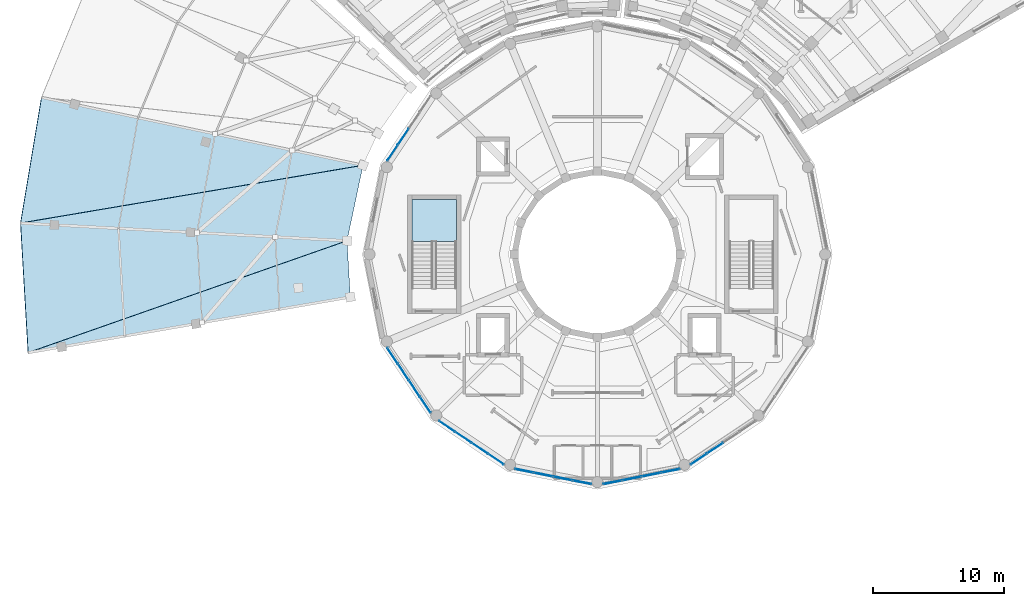
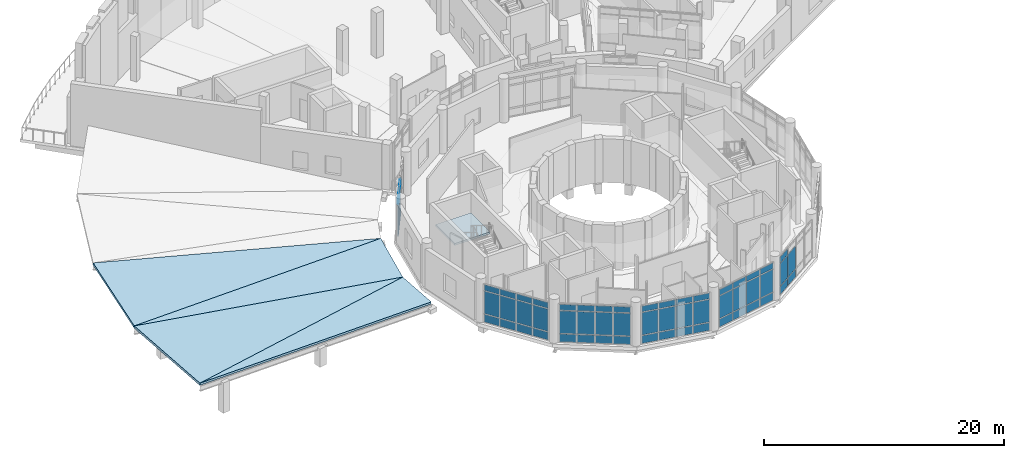
# One storey, part 22 of 49: 59 plates, 5 slabs, 7 elements without a shape of their own.
"""IFC4 building model written with IfcOpenShell, lengths in metres."""

from ifc_helpers import new_model, si_unit, direction, frame, origin, origin_2d, place, context, subcontext, project, spatial, polyline, rectangle, outline, extrude, material, layer, layer_set, type_object, element, aggregate, save


model = new_model("IFC4")

# Units and contexts
model_context = context("Model", 3, precision=1e-05, world=origin(), true_north=direction((0.0, 1.0)))
body_context = subcontext(model_context, "Body", "Model", "MODEL_VIEW")
ifc_project = project(units=[si_unit("LENGTHUNIT", "METRE"), si_unit("AREAUNIT", "SQUARE_METRE"), si_unit("VOLUMEUNIT", "CUBIC_METRE"), si_unit("PLANEANGLEUNIT", "RADIAN"), si_unit("MASSUNIT", "GRAM", prefix="KILO")], contexts=[model_context])

# Site, building, storey
site_placement = place(None, origin())
site = spatial("IfcSite", under=ifc_project, at=site_placement, CompositionType="ELEMENT")
building_placement = place(site_placement, origin())
building = spatial("IfcBuilding", under=site, at=building_placement, Name="Soyqirgoq Riverine Aquarium", CompositionType="ELEMENT")
storey_placement = place(building_placement, frame((0.0, 0.0, 15.0)))
storey = spatial("IfcBuildingStorey", under=building, at=storey_placement, Name="L04", CompositionType="ELEMENT", Elevation=15.0)

# Curtain wall, plates
ifc_material_1 = material(Name="Anodised aluminium thermally broken triple low-E glazing", Category="aluminium")
curtain_wall_type = type_object("IfcCurtainWallType", Name="CW_DrumGallery_Unitised", PredefinedType="NOTDEFINED", material=ifc_material_1)
curtain_wall_1_placement = place(storey_placement, origin())
curtain_wall_1 = element("IfcCurtainWall", 1, at=curtain_wall_1_placement, inside=storey, type_object=curtain_wall_type, Name="V1 L04 Curtain Wall 026", PredefinedType="NOTDEFINED")
ifc_material_2 = material(Name="Triple insulated laminated low-E glass", Category="glass")
ifc_layer_1 = layer(ifc_material_2, 0.0458984375)
ifc_layer_set_1 = layer_set([ifc_layer_1], Name="Triple insulated laminated low-E glass")
plate_type = type_object("IfcPlateType", Name="CWGlazedPanel_46", PredefinedType="CURTAIN_PANEL", material=ifc_layer_set_1)
plate_1_placement = place(storey_placement, frame((41.14453125, 66.01416015625, 0.074951171875), z_axis=(0.0, 0.0, 1.0), x_axis=(-0.555578639957, -0.831463994905, 0.0)))
plate_1 = element("IfcPlate", 2, at=plate_1_placement, type_object=plate_type, Name="CW-01 panel 3.1", PredefinedType="CURTAIN_PANEL", context=body_context, shape_type="SweptSolid", body=[
    extrude(rectangle(XDim=1.45166015625, YDim=0.0458984375, at=origin_2d()), origin(), (0.0, 0.0, 1.0), 0.78759765625),
])
plate_2_placement = place(storey_placement, frame((41.14453125, 66.01416015625, 0.9375), z_axis=(0.0, 0.0, 1.0), x_axis=(-0.555578639957, -0.831463994905, 0.0)))
plate_2 = element("IfcPlate", 3, at=plate_2_placement, type_object=plate_type, Name="CW-01 panel 3.2", PredefinedType="CURTAIN_PANEL", context=body_context, shape_type="SweptSolid", body=[
    extrude(rectangle(XDim=1.45166015625, YDim=0.0458984375, at=origin_2d()), origin(), (0.0, 0.0, 1.0), 2.27490234375),
])
plate_3_placement = place(storey_placement, frame((41.14453125, 66.01416015625, 3.28759765625), z_axis=(0.0, 0.0, 1.0), x_axis=(-0.555578639957, -0.831463994905, 0.0)))
plate_3 = element("IfcPlate", 4, at=plate_3_placement, type_object=plate_type, Name="CW-01 panel 3.3", PredefinedType="CURTAIN_PANEL", context=body_context, shape_type="SweptSolid", body=[
    extrude(rectangle(XDim=1.45166015625, YDim=0.0458984375, at=origin_2d()), origin(), (0.0, 0.0, 1.0), 0.58740234375),
])
plate_4_placement = place(storey_placement, frame((40.31103515625, 64.7666015625, 0.074951171875), z_axis=(0.0, 0.0, 1.0), x_axis=(-0.555578639957, -0.831463994905, 0.0)))
plate_4 = element("IfcPlate", 5, at=plate_4_placement, type_object=plate_type, Name="CW-01 panel 4.1", PredefinedType="CURTAIN_PANEL", context=body_context, shape_type="SweptSolid", body=[
    extrude(rectangle(XDim=1.419189453125, YDim=0.0458984375, at=origin_2d()), origin(), (0.0, 0.0, 1.0), 0.78759765625),
])
plate_5_placement = place(storey_placement, frame((40.31103515625, 64.7666015625, 0.9375), z_axis=(0.0, 0.0, 1.0), x_axis=(-0.555578639957, -0.831463994905, 0.0)))
plate_5 = element("IfcPlate", 6, at=plate_5_placement, type_object=plate_type, Name="CW-01 panel 4.2", PredefinedType="CURTAIN_PANEL", context=body_context, shape_type="SweptSolid", body=[
    extrude(rectangle(XDim=1.419189453125, YDim=0.0458984375, at=origin_2d()), origin(), (0.0, 0.0, 1.0), 2.27490234375),
])
plate_6_placement = place(storey_placement, frame((40.31103515625, 64.7666015625, 3.28759765625), z_axis=(0.0, 0.0, 1.0), x_axis=(-0.555578639957, -0.831463994905, 0.0)))
plate_6 = element("IfcPlate", 7, at=plate_6_placement, type_object=plate_type, Name="CW-01 panel 4.3", PredefinedType="CURTAIN_PANEL", context=body_context, shape_type="SweptSolid", body=[
    extrude(rectangle(XDim=1.419189453125, YDim=0.0458984375, at=origin_2d()), origin(), (0.0, 0.0, 1.0), 0.58740234375),
])
aggregate(curtain_wall_1, [plate_1, plate_2, plate_3, plate_4, plate_5, plate_6])

curtain_wall_2_placement = place(storey_placement, origin())
curtain_wall_2 = element("IfcCurtainWall", 8, at=curtain_wall_2_placement, inside=storey, type_object=curtain_wall_type, Name="V1 L04 Curtain Wall 037", PredefinedType="NOTDEFINED")
plate_7_placement = place(storey_placement, frame((40.31103515625, 49.2333984375, 0.074951171875), z_axis=(0.0, 0.0, 1.0), x_axis=(0.555578639957, -0.831463994905, 0.0)))
plate_7 = element("IfcPlate", 9, at=plate_7_placement, type_object=plate_type, Name="CW-01 panel 1.1", PredefinedType="CURTAIN_PANEL", context=body_context, shape_type="SweptSolid", body=[
    extrude(rectangle(XDim=1.419189453125, YDim=0.0458984375, at=origin_2d()), origin(), (0.0, 0.0, 1.0), 0.78759765625),
])
plate_8_placement = place(storey_placement, frame((40.31103515625, 49.2333984375, 0.9375), z_axis=(0.0, 0.0, 1.0), x_axis=(0.555578639957, -0.831463994905, 0.0)))
plate_8 = element("IfcPlate", 10, at=plate_8_placement, type_object=plate_type, Name="CW-01 panel 1.2", PredefinedType="CURTAIN_PANEL", context=body_context, shape_type="SweptSolid", body=[
    extrude(rectangle(XDim=1.419189453125, YDim=0.0458984375, at=origin_2d()), origin(), (0.0, 0.0, 1.0), 2.27490234375),
])
plate_9_placement = place(storey_placement, frame((40.31103515625, 49.2333984375, 3.28759765625), z_axis=(0.0, 0.0, 1.0), x_axis=(0.555578639957, -0.831463994905, 0.0)))
plate_9 = element("IfcPlate", 11, at=plate_9_placement, type_object=plate_type, Name="CW-01 panel 1.3", PredefinedType="CURTAIN_PANEL", context=body_context, shape_type="SweptSolid", body=[
    extrude(rectangle(XDim=1.419189453125, YDim=0.0458984375, at=origin_2d()), origin(), (0.0, 0.0, 1.0), 0.58740234375),
])
plate_10_placement = place(storey_placement, frame((41.14453125, 47.98583984375, 0.074951171875), z_axis=(0.0, 0.0, 1.0), x_axis=(0.555578639957, -0.831463994905, 0.0)))
plate_10 = element("IfcPlate", 12, at=plate_10_placement, type_object=plate_type, Name="CW-01 panel 2.1", PredefinedType="CURTAIN_PANEL", context=body_context, shape_type="SweptSolid", body=[
    extrude(rectangle(XDim=1.45166015625, YDim=0.0458984375, at=origin_2d()), origin(), (0.0, 0.0, 1.0), 0.78759765625),
])
plate_11_placement = place(storey_placement, frame((41.14453125, 47.98583984375, 0.9375), z_axis=(0.0, 0.0, 1.0), x_axis=(0.555578639957, -0.831463994905, 0.0)))
plate_11 = element("IfcPlate", 13, at=plate_11_placement, type_object=plate_type, Name="CW-01 panel 2.2", PredefinedType="CURTAIN_PANEL", context=body_context, shape_type="SweptSolid", body=[
    extrude(rectangle(XDim=1.45166015625, YDim=0.0458984375, at=origin_2d()), origin(), (0.0, 0.0, 1.0), 2.27490234375),
])
plate_12_placement = place(storey_placement, frame((41.14453125, 47.98583984375, 3.28759765625), z_axis=(0.0, 0.0, 1.0), x_axis=(0.555578639957, -0.831463994905, 0.0)))
plate_12 = element("IfcPlate", 14, at=plate_12_placement, type_object=plate_type, Name="CW-01 panel 2.3", PredefinedType="CURTAIN_PANEL", context=body_context, shape_type="SweptSolid", body=[
    extrude(rectangle(XDim=1.45166015625, YDim=0.0458984375, at=origin_2d()), origin(), (0.0, 0.0, 1.0), 0.58740234375),
])
plate_13_placement = place(storey_placement, frame((41.987060546875, 46.724853515625, 0.074951171875), z_axis=(0.0, 0.0, 1.0), x_axis=(0.555578639957, -0.831463994905, 0.0)))
plate_13 = element("IfcPlate", 15, at=plate_13_placement, type_object=plate_type, Name="CW-01 panel 3.1", PredefinedType="CURTAIN_PANEL", context=body_context, shape_type="SweptSolid", body=[
    extrude(rectangle(XDim=1.45166015625, YDim=0.0458984375, at=origin_2d()), origin(), (0.0, 0.0, 1.0), 0.78759765625),
])
plate_14_placement = place(storey_placement, frame((41.987060546875, 46.724853515625, 0.9375), z_axis=(0.0, 0.0, 1.0), x_axis=(0.555578639957, -0.831463994905, 0.0)))
plate_14 = element("IfcPlate", 16, at=plate_14_placement, type_object=plate_type, Name="CW-01 panel 3.2", PredefinedType="CURTAIN_PANEL", context=body_context, shape_type="SweptSolid", body=[
    extrude(rectangle(XDim=1.45166015625, YDim=0.0458984375, at=origin_2d()), origin(), (0.0, 0.0, 1.0), 2.27490234375),
])
plate_15_placement = place(storey_placement, frame((41.987060546875, 46.724853515625, 3.28759765625), z_axis=(0.0, 0.0, 1.0), x_axis=(0.555578639957, -0.831463994905, 0.0)))
plate_15 = element("IfcPlate", 17, at=plate_15_placement, type_object=plate_type, Name="CW-01 panel 3.3", PredefinedType="CURTAIN_PANEL", context=body_context, shape_type="SweptSolid", body=[
    extrude(rectangle(XDim=1.45166015625, YDim=0.0458984375, at=origin_2d()), origin(), (0.0, 0.0, 1.0), 0.58740234375),
])
plate_16_placement = place(storey_placement, frame((42.820556640625, 45.477294921875, 0.074951171875), z_axis=(0.0, 0.0, 1.0), x_axis=(0.555578639957, -0.831463994905, 0.0)))
plate_16 = element("IfcPlate", 18, at=plate_16_placement, type_object=plate_type, Name="CW-01 panel 4.1", PredefinedType="CURTAIN_PANEL", context=body_context, shape_type="SweptSolid", body=[
    extrude(rectangle(XDim=1.419189453125, YDim=0.0458984375, at=origin_2d()), origin(), (0.0, 0.0, 1.0), 0.78759765625),
])
plate_17_placement = place(storey_placement, frame((42.820556640625, 45.477294921875, 0.9375), z_axis=(0.0, 0.0, 1.0), x_axis=(0.555578639957, -0.831463994905, 0.0)))
plate_17 = element("IfcPlate", 19, at=plate_17_placement, type_object=plate_type, Name="CW-01 panel 4.2", PredefinedType="CURTAIN_PANEL", context=body_context, shape_type="SweptSolid", body=[
    extrude(rectangle(XDim=1.419189453125, YDim=0.0458984375, at=origin_2d()), origin(), (0.0, 0.0, 1.0), 2.27490234375),
])
plate_18_placement = place(storey_placement, frame((42.820556640625, 45.477294921875, 3.28759765625), z_axis=(0.0, 0.0, 1.0), x_axis=(0.555578639957, -0.831463994905, 0.0)))
plate_18 = element("IfcPlate", 20, at=plate_18_placement, type_object=plate_type, Name="CW-01 panel 4.3", PredefinedType="CURTAIN_PANEL", context=body_context, shape_type="SweptSolid", body=[
    extrude(rectangle(XDim=1.419189453125, YDim=0.0458984375, at=origin_2d()), origin(), (0.0, 0.0, 1.0), 0.58740234375),
])
aggregate(curtain_wall_2, [plate_7, plate_8, plate_9, plate_10, plate_11, plate_12, plate_13, plate_14, plate_15, plate_16, plate_17, plate_18])

curtain_wall_3_placement = place(storey_placement, origin())
curtain_wall_3 = element("IfcCurtainWall", 21, at=curtain_wall_3_placement, inside=storey, type_object=curtain_wall_type, Name="V1 L04 Curtain Wall 044", PredefinedType="NOTDEFINED")
plate_19_placement = place(storey_placement, frame((44.477294921875, 43.820556640625, 0.074951171875), z_axis=(0.0, 0.0, 1.0), x_axis=(0.831463994905, -0.555578639957, 0.0)))
plate_19 = element("IfcPlate", 22, at=plate_19_placement, type_object=plate_type, Name="CW-01 panel 1.1", PredefinedType="CURTAIN_PANEL", context=body_context, shape_type="SweptSolid", body=[
    extrude(rectangle(XDim=1.419189453125, YDim=0.0458984375, at=origin_2d()), origin(), (0.0, 0.0, 1.0), 0.78759765625),
])
plate_20_placement = place(storey_placement, frame((44.477294921875, 43.820556640625, 0.9375), z_axis=(0.0, 0.0, 1.0), x_axis=(0.831463994905, -0.555578639957, 0.0)))
plate_20 = element("IfcPlate", 23, at=plate_20_placement, type_object=plate_type, Name="CW-01 panel 1.2", PredefinedType="CURTAIN_PANEL", context=body_context, shape_type="SweptSolid", body=[
    extrude(rectangle(XDim=1.419189453125, YDim=0.0458984375, at=origin_2d()), origin(), (0.0, 0.0, 1.0), 2.27490234375),
])
plate_21_placement = place(storey_placement, frame((44.477294921875, 43.820556640625, 3.28759765625), z_axis=(0.0, 0.0, 1.0), x_axis=(0.831463994905, -0.555578639957, 0.0)))
plate_21 = element("IfcPlate", 24, at=plate_21_placement, type_object=plate_type, Name="CW-01 panel 1.3", PredefinedType="CURTAIN_PANEL", context=body_context, shape_type="SweptSolid", body=[
    extrude(rectangle(XDim=1.419189453125, YDim=0.0458984375, at=origin_2d()), origin(), (0.0, 0.0, 1.0), 0.58740234375),
])
plate_22_placement = place(storey_placement, frame((45.724853515625, 42.987060546875, 0.074951171875), z_axis=(0.0, 0.0, 1.0), x_axis=(0.831463994905, -0.555578639957, 0.0)))
plate_22 = element("IfcPlate", 25, at=plate_22_placement, type_object=plate_type, Name="CW-01 panel 2.1", PredefinedType="CURTAIN_PANEL", context=body_context, shape_type="SweptSolid", body=[
    extrude(rectangle(XDim=1.45166015625, YDim=0.0458984375, at=origin_2d()), origin(), (0.0, 0.0, 1.0), 0.78759765625),
])
plate_23_placement = place(storey_placement, frame((45.724853515625, 42.987060546875, 0.9375), z_axis=(0.0, 0.0, 1.0), x_axis=(0.831463994905, -0.555578639957, 0.0)))
plate_23 = element("IfcPlate", 26, at=plate_23_placement, type_object=plate_type, Name="CW-01 panel 2.2", PredefinedType="CURTAIN_PANEL", context=body_context, shape_type="SweptSolid", body=[
    extrude(rectangle(XDim=1.45166015625, YDim=0.0458984375, at=origin_2d()), origin(), (0.0, 0.0, 1.0), 2.27490234375),
])
plate_24_placement = place(storey_placement, frame((45.724853515625, 42.987060546875, 3.28759765625), z_axis=(0.0, 0.0, 1.0), x_axis=(0.831463994905, -0.555578639957, 0.0)))
plate_24 = element("IfcPlate", 27, at=plate_24_placement, type_object=plate_type, Name="CW-01 panel 2.3", PredefinedType="CURTAIN_PANEL", context=body_context, shape_type="SweptSolid", body=[
    extrude(rectangle(XDim=1.45166015625, YDim=0.0458984375, at=origin_2d()), origin(), (0.0, 0.0, 1.0), 0.58740234375),
])
plate_25_placement = place(storey_placement, frame((46.98583984375, 42.14453125, 0.074951171875), z_axis=(0.0, 0.0, 1.0), x_axis=(0.831463994905, -0.555578639957, 0.0)))
plate_25 = element("IfcPlate", 28, at=plate_25_placement, type_object=plate_type, Name="CW-01 panel 3.1", PredefinedType="CURTAIN_PANEL", context=body_context, shape_type="SweptSolid", body=[
    extrude(rectangle(XDim=1.45166015625, YDim=0.0458984375, at=origin_2d()), origin(), (0.0, 0.0, 1.0), 0.78759765625),
])
plate_26_placement = place(storey_placement, frame((46.98583984375, 42.14453125, 0.9375), z_axis=(0.0, 0.0, 1.0), x_axis=(0.831463994905, -0.555578639957, 0.0)))
plate_26 = element("IfcPlate", 29, at=plate_26_placement, type_object=plate_type, Name="CW-01 panel 3.2", PredefinedType="CURTAIN_PANEL", context=body_context, shape_type="SweptSolid", body=[
    extrude(rectangle(XDim=1.45166015625, YDim=0.0458984375, at=origin_2d()), origin(), (0.0, 0.0, 1.0), 2.27490234375),
])
plate_27_placement = place(storey_placement, frame((46.98583984375, 42.14453125, 3.28759765625), z_axis=(0.0, 0.0, 1.0), x_axis=(0.831463994905, -0.555578639957, 0.0)))
plate_27 = element("IfcPlate", 30, at=plate_27_placement, type_object=plate_type, Name="CW-01 panel 3.3", PredefinedType="CURTAIN_PANEL", context=body_context, shape_type="SweptSolid", body=[
    extrude(rectangle(XDim=1.45166015625, YDim=0.0458984375, at=origin_2d()), origin(), (0.0, 0.0, 1.0), 0.58740234375),
])
plate_28_placement = place(storey_placement, frame((48.2333984375, 41.31103515625, 0.074951171875), z_axis=(0.0, 0.0, 1.0), x_axis=(0.831463994905, -0.555578639957, 0.0)))
plate_28 = element("IfcPlate", 31, at=plate_28_placement, type_object=plate_type, Name="CW-01 panel 4.1", PredefinedType="CURTAIN_PANEL", context=body_context, shape_type="SweptSolid", body=[
    extrude(rectangle(XDim=1.419189453125, YDim=0.0458984375, at=origin_2d()), origin(), (0.0, 0.0, 1.0), 0.78759765625),
])
plate_29_placement = place(storey_placement, frame((48.2333984375, 41.31103515625, 0.9375), z_axis=(0.0, 0.0, 1.0), x_axis=(0.831463994905, -0.555578639957, 0.0)))
plate_29 = element("IfcPlate", 32, at=plate_29_placement, type_object=plate_type, Name="CW-01 panel 4.2", PredefinedType="CURTAIN_PANEL", context=body_context, shape_type="SweptSolid", body=[
    extrude(rectangle(XDim=1.419189453125, YDim=0.0458984375, at=origin_2d()), origin(), (0.0, 0.0, 1.0), 2.27490234375),
])
plate_30_placement = place(storey_placement, frame((48.2333984375, 41.31103515625, 3.28759765625), z_axis=(0.0, 0.0, 1.0), x_axis=(0.831463994905, -0.555578639957, 0.0)))
plate_30 = element("IfcPlate", 33, at=plate_30_placement, type_object=plate_type, Name="CW-01 panel 4.3", PredefinedType="CURTAIN_PANEL", context=body_context, shape_type="SweptSolid", body=[
    extrude(rectangle(XDim=1.419189453125, YDim=0.0458984375, at=origin_2d()), origin(), (0.0, 0.0, 1.0), 0.58740234375),
])
aggregate(curtain_wall_3, [plate_19, plate_20, plate_21, plate_22, plate_23, plate_24, plate_25, plate_26, plate_27, plate_28, plate_29, plate_30])

curtain_wall_4_placement = place(storey_placement, origin())
curtain_wall_4 = element("IfcCurtainWall", 34, at=curtain_wall_4_placement, inside=storey, type_object=curtain_wall_type, Name="V1 L04 Curtain Wall 051", PredefinedType="NOTDEFINED")
plate_31_placement = place(storey_placement, frame((50.398193359375, 40.414306640625, 0.074951171875), z_axis=(0.0, 0.0, 1.0), x_axis=(0.980783044882, -0.195101560405, 0.0)))
plate_31 = element("IfcPlate", 35, at=plate_31_placement, type_object=plate_type, Name="CW-01 panel 1.1", PredefinedType="CURTAIN_PANEL", context=body_context, shape_type="SweptSolid", body=[
    extrude(rectangle(XDim=1.4189453125, YDim=0.0458984375, at=origin_2d()), origin(), (0.0, 0.0, 1.0), 0.78759765625),
])
plate_32_placement = place(storey_placement, frame((50.398193359375, 40.414306640625, 0.9375), z_axis=(0.0, 0.0, 1.0), x_axis=(0.980783044882, -0.195101560405, 0.0)))
plate_32 = element("IfcPlate", 36, at=plate_32_placement, type_object=plate_type, Name="CW-01 panel 1.2", PredefinedType="CURTAIN_PANEL", context=body_context, shape_type="SweptSolid", body=[
    extrude(rectangle(XDim=1.4189453125, YDim=0.0458984375, at=origin_2d()), origin(), (0.0, 0.0, 1.0), 2.27490234375),
])
plate_33_placement = place(storey_placement, frame((50.398193359375, 40.414306640625, 3.28759765625), z_axis=(0.0, 0.0, 1.0), x_axis=(0.980783044882, -0.195101560405, 0.0)))
plate_33 = element("IfcPlate", 37, at=plate_33_placement, type_object=plate_type, Name="CW-01 panel 1.3", PredefinedType="CURTAIN_PANEL", context=body_context, shape_type="SweptSolid", body=[
    extrude(rectangle(XDim=1.4189453125, YDim=0.0458984375, at=origin_2d()), origin(), (0.0, 0.0, 1.0), 0.58740234375),
])
plate_34_placement = place(storey_placement, frame((51.86962890625, 40.12158203125, 0.074951171875), z_axis=(0.0, 0.0, 1.0), x_axis=(0.980783044882, -0.195101560405, 0.0)))
plate_34 = element("IfcPlate", 38, at=plate_34_placement, type_object=plate_type, Name="CW-01 panel 2.1", PredefinedType="CURTAIN_PANEL", context=body_context, shape_type="SweptSolid", body=[
    extrude(rectangle(XDim=1.451416015625, YDim=0.0458984375, at=origin_2d()), origin(), (0.0, 0.0, 1.0), 0.78759765625),
])
plate_35_placement = place(storey_placement, frame((51.86962890625, 40.12158203125, 0.9375), z_axis=(0.0, 0.0, 1.0), x_axis=(0.980783044882, -0.195101560405, 0.0)))
plate_35 = element("IfcPlate", 39, at=plate_35_placement, type_object=plate_type, Name="CW-01 panel 2.2", PredefinedType="CURTAIN_PANEL", context=body_context, shape_type="SweptSolid", body=[
    extrude(rectangle(XDim=1.451416015625, YDim=0.0458984375, at=origin_2d()), origin(), (0.0, 0.0, 1.0), 2.27490234375),
])
plate_36_placement = place(storey_placement, frame((51.86962890625, 40.12158203125, 3.28759765625), z_axis=(0.0, 0.0, 1.0), x_axis=(0.980783044882, -0.195101560405, 0.0)))
plate_36 = element("IfcPlate", 40, at=plate_36_placement, type_object=plate_type, Name="CW-01 panel 2.3", PredefinedType="CURTAIN_PANEL", context=body_context, shape_type="SweptSolid", body=[
    extrude(rectangle(XDim=1.451416015625, YDim=0.0458984375, at=origin_2d()), origin(), (0.0, 0.0, 1.0), 0.58740234375),
])
plate_37_placement = place(storey_placement, frame((53.35693359375, 39.82568359375, 0.074951171875), z_axis=(0.0, 0.0, 1.0), x_axis=(0.980783044882, -0.195101560405, 0.0)))
plate_37 = element("IfcPlate", 41, at=plate_37_placement, type_object=plate_type, Name="CW-01 panel 3.1", PredefinedType="CURTAIN_PANEL", context=body_context, shape_type="SweptSolid", body=[
    extrude(rectangle(XDim=1.451416015625, YDim=0.0458984375, at=origin_2d()), origin(), (0.0, 0.0, 1.0), 0.78759765625),
])
plate_38_placement = place(storey_placement, frame((53.35693359375, 39.82568359375, 0.9375), z_axis=(0.0, 0.0, 1.0), x_axis=(0.980783044882, -0.195101560405, 0.0)))
plate_38 = element("IfcPlate", 42, at=plate_38_placement, type_object=plate_type, Name="CW-01 panel 3.2", PredefinedType="CURTAIN_PANEL", context=body_context, shape_type="SweptSolid", body=[
    extrude(rectangle(XDim=1.451416015625, YDim=0.0458984375, at=origin_2d()), origin(), (0.0, 0.0, 1.0), 2.27490234375),
])
plate_39_placement = place(storey_placement, frame((53.35693359375, 39.82568359375, 3.28759765625), z_axis=(0.0, 0.0, 1.0), x_axis=(0.980783044882, -0.195101560405, 0.0)))
plate_39 = element("IfcPlate", 43, at=plate_39_placement, type_object=plate_type, Name="CW-01 panel 3.3", PredefinedType="CURTAIN_PANEL", context=body_context, shape_type="SweptSolid", body=[
    extrude(rectangle(XDim=1.451416015625, YDim=0.0458984375, at=origin_2d()), origin(), (0.0, 0.0, 1.0), 0.58740234375),
])
plate_40_placement = place(storey_placement, frame((54.828369140625, 39.532958984375, 0.074951171875), z_axis=(0.0, 0.0, 1.0), x_axis=(0.980783044882, -0.195101560405, 0.0)))
plate_40 = element("IfcPlate", 44, at=plate_40_placement, type_object=plate_type, Name="CW-01 panel 4.1", PredefinedType="CURTAIN_PANEL", context=body_context, shape_type="SweptSolid", body=[
    extrude(rectangle(XDim=1.4189453125, YDim=0.0458984375, at=origin_2d()), origin(), (0.0, 0.0, 1.0), 0.78759765625),
])
plate_41_placement = place(storey_placement, frame((54.828369140625, 39.532958984375, 0.9375), z_axis=(0.0, 0.0, 1.0), x_axis=(0.980783044882, -0.195101560405, 0.0)))
plate_41 = element("IfcPlate", 45, at=plate_41_placement, type_object=plate_type, Name="CW-01 panel 4.2", PredefinedType="CURTAIN_PANEL", context=body_context, shape_type="SweptSolid", body=[
    extrude(rectangle(XDim=1.4189453125, YDim=0.0458984375, at=origin_2d()), origin(), (0.0, 0.0, 1.0), 2.27490234375),
])
plate_42_placement = place(storey_placement, frame((54.828369140625, 39.532958984375, 3.28759765625), z_axis=(0.0, 0.0, 1.0), x_axis=(0.980783044882, -0.195101560405, 0.0)))
plate_42 = element("IfcPlate", 46, at=plate_42_placement, type_object=plate_type, Name="CW-01 panel 4.3", PredefinedType="CURTAIN_PANEL", context=body_context, shape_type="SweptSolid", body=[
    extrude(rectangle(XDim=1.4189453125, YDim=0.0458984375, at=origin_2d()), origin(), (0.0, 0.0, 1.0), 0.58740234375),
])
aggregate(curtain_wall_4, [plate_31, plate_32, plate_33, plate_34, plate_35, plate_36, plate_37, plate_38, plate_39, plate_40, plate_41, plate_42])

curtain_wall_5_placement = place(storey_placement, origin())
curtain_wall_5 = element("IfcCurtainWall", 47, at=curtain_wall_5_placement, inside=storey, type_object=curtain_wall_type, Name="V1 L04 Curtain Wall 058", PredefinedType="NOTDEFINED")
plate_43_placement = place(storey_placement, frame((57.171630859375, 39.532958984375, 0.074951171875), z_axis=(0.0, 0.0, 1.0), x_axis=(0.980783044882, 0.195101560405, 0.0)))
plate_43 = element("IfcPlate", 48, at=plate_43_placement, type_object=plate_type, Name="CW-01 panel 1.1", PredefinedType="CURTAIN_PANEL", context=body_context, shape_type="SweptSolid", body=[
    extrude(rectangle(XDim=1.4189453125, YDim=0.0458984375, at=origin_2d()), origin(), (0.0, 0.0, 1.0), 0.78759765625),
])
plate_44_placement = place(storey_placement, frame((57.171630859375, 39.532958984375, 0.9375), z_axis=(0.0, 0.0, 1.0), x_axis=(0.980783044882, 0.195101560405, 0.0)))
plate_44 = element("IfcPlate", 49, at=plate_44_placement, type_object=plate_type, Name="CW-01 panel 1.2", PredefinedType="CURTAIN_PANEL", context=body_context, shape_type="SweptSolid", body=[
    extrude(rectangle(XDim=1.4189453125, YDim=0.0458984375, at=origin_2d()), origin(), (0.0, 0.0, 1.0), 2.27490234375),
])
plate_45_placement = place(storey_placement, frame((57.171630859375, 39.532958984375, 3.28759765625), z_axis=(0.0, 0.0, 1.0), x_axis=(0.980783044882, 0.195101560405, 0.0)))
plate_45 = element("IfcPlate", 50, at=plate_45_placement, type_object=plate_type, Name="CW-01 panel 1.3", PredefinedType="CURTAIN_PANEL", context=body_context, shape_type="SweptSolid", body=[
    extrude(rectangle(XDim=1.4189453125, YDim=0.0458984375, at=origin_2d()), origin(), (0.0, 0.0, 1.0), 0.58740234375),
])
plate_46_placement = place(storey_placement, frame((58.64306640625, 39.82568359375, 0.074951171875), z_axis=(0.0, 0.0, 1.0), x_axis=(0.980783044882, 0.195101560405, 0.0)))
plate_46 = element("IfcPlate", 51, at=plate_46_placement, type_object=plate_type, Name="CW-01 panel 2.1", PredefinedType="CURTAIN_PANEL", context=body_context, shape_type="SweptSolid", body=[
    extrude(rectangle(XDim=1.451416015625, YDim=0.0458984375, at=origin_2d()), origin(), (0.0, 0.0, 1.0), 0.78759765625),
])
plate_47_placement = place(storey_placement, frame((58.64306640625, 39.82568359375, 0.9375), z_axis=(0.0, 0.0, 1.0), x_axis=(0.980783044882, 0.195101560405, 0.0)))
plate_47 = element("IfcPlate", 52, at=plate_47_placement, type_object=plate_type, Name="CW-01 panel 2.2", PredefinedType="CURTAIN_PANEL", context=body_context, shape_type="SweptSolid", body=[
    extrude(rectangle(XDim=1.451416015625, YDim=0.0458984375, at=origin_2d()), origin(), (0.0, 0.0, 1.0), 2.27490234375),
])
plate_48_placement = place(storey_placement, frame((58.64306640625, 39.82568359375, 3.28759765625), z_axis=(0.0, 0.0, 1.0), x_axis=(0.980783044882, 0.195101560405, 0.0)))
plate_48 = element("IfcPlate", 53, at=plate_48_placement, type_object=plate_type, Name="CW-01 panel 2.3", PredefinedType="CURTAIN_PANEL", context=body_context, shape_type="SweptSolid", body=[
    extrude(rectangle(XDim=1.451416015625, YDim=0.0458984375, at=origin_2d()), origin(), (0.0, 0.0, 1.0), 0.58740234375),
])
plate_49_placement = place(storey_placement, frame((60.13037109375, 40.12158203125, 0.074951171875), z_axis=(0.0, 0.0, 1.0), x_axis=(0.980783044882, 0.195101560405, 0.0)))
plate_49 = element("IfcPlate", 54, at=plate_49_placement, type_object=plate_type, Name="CW-01 panel 3.1", PredefinedType="CURTAIN_PANEL", context=body_context, shape_type="SweptSolid", body=[
    extrude(rectangle(XDim=1.451416015625, YDim=0.0458984375, at=origin_2d()), origin(), (0.0, 0.0, 1.0), 0.78759765625),
])
plate_50_placement = place(storey_placement, frame((60.13037109375, 40.12158203125, 0.9375), z_axis=(0.0, 0.0, 1.0), x_axis=(0.980783044882, 0.195101560405, 0.0)))
plate_50 = element("IfcPlate", 55, at=plate_50_placement, type_object=plate_type, Name="CW-01 panel 3.2", PredefinedType="CURTAIN_PANEL", context=body_context, shape_type="SweptSolid", body=[
    extrude(rectangle(XDim=1.451416015625, YDim=0.0458984375, at=origin_2d()), origin(), (0.0, 0.0, 1.0), 2.27490234375),
])
plate_51_placement = place(storey_placement, frame((60.13037109375, 40.12158203125, 3.28759765625), z_axis=(0.0, 0.0, 1.0), x_axis=(0.980783044882, 0.195101560405, 0.0)))
plate_51 = element("IfcPlate", 56, at=plate_51_placement, type_object=plate_type, Name="CW-01 panel 3.3", PredefinedType="CURTAIN_PANEL", context=body_context, shape_type="SweptSolid", body=[
    extrude(rectangle(XDim=1.451416015625, YDim=0.0458984375, at=origin_2d()), origin(), (0.0, 0.0, 1.0), 0.58740234375),
])
plate_52_placement = place(storey_placement, frame((61.601806640625, 40.414306640625, 0.074951171875), z_axis=(0.0, 0.0, 1.0), x_axis=(0.980783044882, 0.195101560405, 0.0)))
plate_52 = element("IfcPlate", 57, at=plate_52_placement, type_object=plate_type, Name="CW-01 panel 4.1", PredefinedType="CURTAIN_PANEL", context=body_context, shape_type="SweptSolid", body=[
    extrude(rectangle(XDim=1.4189453125, YDim=0.0458984375, at=origin_2d()), origin(), (0.0, 0.0, 1.0), 0.78759765625),
])
plate_53_placement = place(storey_placement, frame((61.601806640625, 40.414306640625, 0.9375), z_axis=(0.0, 0.0, 1.0), x_axis=(0.980783044882, 0.195101560405, 0.0)))
plate_53 = element("IfcPlate", 58, at=plate_53_placement, type_object=plate_type, Name="CW-01 panel 4.2", PredefinedType="CURTAIN_PANEL", context=body_context, shape_type="SweptSolid", body=[
    extrude(rectangle(XDim=1.4189453125, YDim=0.0458984375, at=origin_2d()), origin(), (0.0, 0.0, 1.0), 2.27490234375),
])
plate_54_placement = place(storey_placement, frame((61.601806640625, 40.414306640625, 3.28759765625), z_axis=(0.0, 0.0, 1.0), x_axis=(0.980783044882, 0.195101560405, 0.0)))
plate_54 = element("IfcPlate", 59, at=plate_54_placement, type_object=plate_type, Name="CW-01 panel 4.3", PredefinedType="CURTAIN_PANEL", context=body_context, shape_type="SweptSolid", body=[
    extrude(rectangle(XDim=1.4189453125, YDim=0.0458984375, at=origin_2d()), origin(), (0.0, 0.0, 1.0), 0.58740234375),
])
aggregate(curtain_wall_5, [plate_43, plate_44, plate_45, plate_46, plate_47, plate_48, plate_49, plate_50, plate_51, plate_52, plate_53, plate_54])

curtain_wall_6_placement = place(storey_placement, origin())
curtain_wall_6 = element("IfcCurtainWall", 60, at=curtain_wall_6_placement, inside=storey, type_object=curtain_wall_type, Name="V1 L04 Curtain Wall 063", PredefinedType="NOTDEFINED")
plate_55_placement = place(storey_placement, frame((63.7666015625, 41.31103515625, 0.074951171875), z_axis=(0.0, 0.0, 1.0), x_axis=(0.831463994905, 0.555578639957, 0.0)))
plate_55 = element("IfcPlate", 61, at=plate_55_placement, type_object=plate_type, Name="CW-01 panel 1.1", PredefinedType="CURTAIN_PANEL", context=body_context, shape_type="SweptSolid", body=[
    extrude(rectangle(XDim=1.419189453125, YDim=0.0458984375, at=origin_2d()), origin(), (0.0, 0.0, 1.0), 0.78759765625),
])
plate_56_placement = place(storey_placement, frame((63.7666015625, 41.31103515625, 0.9375), z_axis=(0.0, 0.0, 1.0), x_axis=(0.831463994905, 0.555578639957, 0.0)))
plate_56 = element("IfcPlate", 62, at=plate_56_placement, type_object=plate_type, Name="CW-01 panel 1.2", PredefinedType="CURTAIN_PANEL", context=body_context, shape_type="SweptSolid", body=[
    extrude(rectangle(XDim=1.419189453125, YDim=0.0458984375, at=origin_2d()), origin(), (0.0, 0.0, 1.0), 2.27490234375),
])
plate_57_placement = place(storey_placement, frame((63.7666015625, 41.31103515625, 3.28759765625), z_axis=(0.0, 0.0, 1.0), x_axis=(0.831463994905, 0.555578639957, 0.0)))
plate_57 = element("IfcPlate", 63, at=plate_57_placement, type_object=plate_type, Name="CW-01 panel 1.3", PredefinedType="CURTAIN_PANEL", context=body_context, shape_type="SweptSolid", body=[
    extrude(rectangle(XDim=1.419189453125, YDim=0.0458984375, at=origin_2d()), origin(), (0.0, 0.0, 1.0), 0.58740234375),
])
plate_58_placement = place(storey_placement, frame((65.01416015625, 42.14453125, 0.074951171875), z_axis=(0.0, 0.0, 1.0), x_axis=(0.831463994905, 0.555578639957, 0.0)))
plate_58 = element("IfcPlate", 64, at=plate_58_placement, type_object=plate_type, Name="CW-01 panel 2.1", PredefinedType="CURTAIN_PANEL", context=body_context, shape_type="SweptSolid", body=[
    extrude(rectangle(XDim=1.45166015625, YDim=0.0458984375, at=origin_2d()), origin(), (0.0, 0.0, 1.0), 0.78759765625),
])
plate_59_placement = place(storey_placement, frame((65.01416015625, 42.14453125, 0.9375), z_axis=(0.0, 0.0, 1.0), x_axis=(0.831463994905, 0.555578639957, 0.0)))
plate_59 = element("IfcPlate", 65, at=plate_59_placement, type_object=plate_type, Name="CW-01 panel 2.2", PredefinedType="CURTAIN_PANEL", context=body_context, shape_type="SweptSolid", body=[
    extrude(rectangle(XDim=1.45166015625, YDim=0.0458984375, at=origin_2d()), origin(), (0.0, 0.0, 1.0), 2.27490234375),
])
aggregate(curtain_wall_6, [plate_55, plate_56, plate_57, plate_58, plate_59])

# Stair, slab
ifc_material_3 = material(Name="Concrete C35/45", Category="concrete")
stair_type = type_object("IfcStairType", Name="CoreDoglegStair_RC", PredefinedType="HALF_TURN_STAIR", material=ifc_material_3)
stair_placement = place(storey_placement, origin())
stair = element("IfcStair", 66, at=stair_placement, inside=storey, type_object=stair_type, Name="L04 Enclosed Exit Stair ST-9", PredefinedType="HALF_TURN_STAIR")
ifc_material_4 = material(Name="Concrete C35/45", Category="concrete")
ifc_layer_2 = layer(ifc_material_4, 0.199951171875)
ifc_layer_set_2 = layer_set([ifc_layer_2], Name="Concrete C35/45")
slab_type_1 = type_object("IfcSlabType", Name="CoreStairLanding_RC", PredefinedType="LANDING", material=ifc_layer_set_2)
slab_1_placement = place(storey_placement, frame((0.0, 0.0, 2.199951171875)))
slab_1 = element("IfcSlab", 67, at=slab_1_placement, type_object=slab_type_1, Name="ST-9 landing 1", PredefinedType="LANDING", context=body_context, shape_type="SweptSolid", body=[
    extrude(outline(polyline([(45.199951171875, 58.0), (45.199951171875, 61.199951171875), (41.800048828125, 61.199951171875), (41.800048828125, 58.0), (45.199951171875, 58.0)])), origin(), (0.0, 0.0, 1.0), 0.199951171875),
])
aggregate(stair, [slab_1])

# Slabs
ifc_material_5 = material(Name="Concrete C35/45", Category="concrete")
ifc_layer_3 = layer(ifc_material_5, 0.199951171875)
ifc_layer_set_3 = layer_set([ifc_layer_3], Name="Concrete C35/45")
slab_type_2 = type_object("IfcSlabType", Name="PrairieRoof_200_C35", PredefinedType="ROOF", material=ifc_layer_set_3)
slab_2_placement = place(storey_placement, frame((38.05126953125, 63.818115234375, 0.719970703125), z_axis=(0.115828043495, -0.019240361969, 0.993082913362), x_axis=(-0.971685237536, 0.205102623808, 0.117306064894)))
element("IfcSlab", 68, at=slab_2_placement, inside=storey, type_object=slab_type_2, Name="V3 Sloped Prairie Roof Panel 03A", PredefinedType="ROOF", context=body_context, shape_type="SweptSolid", body=[
    extrude(outline(polyline([(0.0, 0.0), (25.349352697096787, 5.516420653606247e-16), (24.935011910143267, 9.74837478604129), (0.0, 0.0)])), origin(), (0.0, 0.0, -1.0), 0.199951171875),
])
slab_3_placement = place(storey_placement, frame((38.05126953125, 63.818115234375, 0.719970703125), z_axis=(0.116723541381, -0.024701568908, 0.992857213994), x_axis=(-0.979969253743, -0.165281186657, 0.11109631432)))
element("IfcSlab", 69, at=slab_3_placement, inside=storey, type_object=slab_type_2, Name="V3 Sloped Prairie Roof Panel 03B", PredefinedType="ROOF", context=body_context, shape_type="SweptSolid", body=[
    extrude(outline(polyline([(0.0, 0.0), (26.772852480229147, -5.551115123125783e-17), (2.153933782756547, 5.50114245009477), (0.0, 0.0)])), origin(), (0.0, 0.0, -1.0), 0.199951171875),
])
ifc_material_6 = material(Name="Concrete C35/45", Category="concrete")
ifc_layer_4 = layer(ifc_material_6, 0.219970703125)
ifc_layer_set_4 = layer_set([ifc_layer_4], Name="Concrete C35/45")
slab_type_3 = type_object("IfcSlabType", Name="PrairieRoof_220_C35", PredefinedType="ROOF", material=ifc_layer_set_4)
slab_4_placement = place(storey_placement, frame((36.828125, 58.038330078125, 0.719970703125), z_axis=(0.118446360512, 0.006934525682, 0.992936237648), x_axis=(-0.991571222161, 0.053703857418, 0.11790846908)))
element("IfcSlab", 70, at=slab_4_placement, inside=storey, type_object=slab_type_3, Name="V3 Sloped Prairie Roof Panel 04A", PredefinedType="ROOF", context=body_context, shape_type="SweptSolid", body=[
    extrude(outline(polyline([(0.0, 0.0), (25.22605252688182, 1.8041124150158794e-16), (24.116895124415205, 9.879733928170394), (0.0, 0.0)])), origin(), (0.0, 0.0, -1.0), 0.219970703125),
])
slab_5_placement = place(storey_placement, frame((36.828125, 58.038330078125, 0.719970703125), z_axis=(0.118447929179, 0.006929999598, 0.992936082121), x_axis=(-0.937467055994, -0.328832436338, 0.114126016919)))
element("IfcSlab", 71, at=slab_5_placement, inside=storey, type_object=slab_type_3, Name="V3 Sloped Prairie Roof Panel 04B", PredefinedType="ROOF", context=body_context, shape_type="SweptSolid", body=[
    extrude(outline(polyline([(0.0, 0.0), (26.062113746461222, -1.4710455076283324e-15), (1.1798850934535325, 4.1492652631617535), (0.0, 0.0)])), origin(), (0.0, 0.0, -1.0), 0.219970703125),
])

save(model, "model.ifc")
